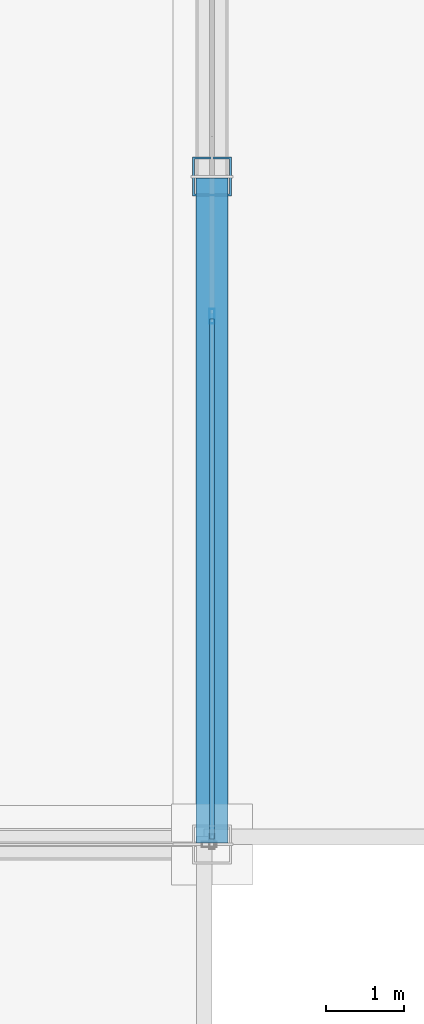
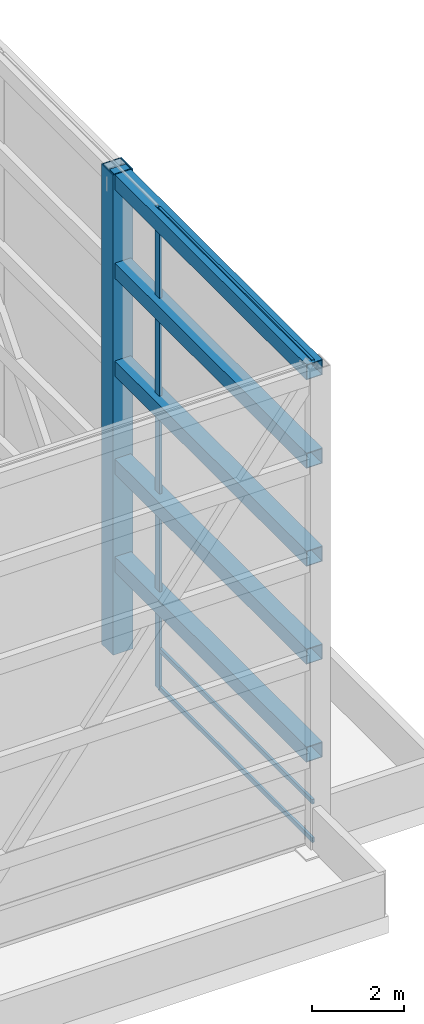
# One storey, part 14 of 23: 5 beams, 5 members, 1 element without a shape of its own.
"""IFC4 building model written with IfcOpenShell, lengths in metres."""

from ifc_helpers import new_model, si_unit, direction, frame, origin, origin_2d, place, context, subcontext, project, spatial, hollow_rectangle, extrude, source, transform, mapped, material, layer, layer_set, material_profile, profile_set, type_object, type_shapes, element, aggregate, save


model = new_model("IFC4")

# Units and contexts
model_context = context("Model", 3, precision=1e-05, world=origin(), true_north=direction((0.0, 1.0)))
body_context = subcontext(model_context, "Body", "Model", "MODEL_VIEW")
ifc_project = project(units=[si_unit("LENGTHUNIT", "METRE"), si_unit("AREAUNIT", "SQUARE_METRE"), si_unit("VOLUMEUNIT", "CUBIC_METRE"), si_unit("PLANEANGLEUNIT", "RADIAN"), si_unit("MASSUNIT", "GRAM", prefix="KILO")], contexts=[model_context])

# Site, building, storey
site_placement = place(None, origin())
site = spatial("IfcSite", under=ifc_project, at=site_placement, CompositionType="ELEMENT")
building_placement = place(site_placement, origin())
building = spatial("IfcBuilding", under=site, at=building_placement, Name="Varnel Quay Broadcast Tower", CompositionType="ELEMENT")
storey_placement = place(building_placement, frame((0.0, 0.0, 319.800048828125)))
storey = spatial("IfcBuildingStorey", under=building, at=storey_placement, Name="Roof", CompositionType="ELEMENT", Elevation=319.800048828125)

# Member
ifc_material_1 = material(Name="Structural Steel CSA G40.21 350WT", Category="steel")
ifc_material_profile_1 = material_profile(ifc_material_1, hollow_rectangle(XDim=0.5, YDim=0.5, WallThickness=0.02490234375, at=origin_2d()), Name="BOX500X500X25")
ifc_profile_set_1 = profile_set([ifc_material_profile_1], Name="Structural Steel CSA G40.21 350WT")
member_type_1 = type_object("IfcMemberType", Name="CrownRingPost_BOX500", PredefinedType="POST", material=ifc_profile_set_1)
shared_shape_1 = source(origin(), body_context, "Body", "SweptSolid", [
    extrude(hollow_rectangle(XDim=0.5, YDim=0.5, WallThickness=0.02490234375, at=origin_2d()), origin(), (0.0, 0.0, 1.0), 12.75),
])
type_shapes(member_type_1, [shared_shape_1])
member_1_placement = place(storey_placement, frame((52.800048828125, 25.0, 0.0), z_axis=(0.0, 0.0, 1.0), x_axis=(1.0, 0.0, 0.0)))
element("IfcMember", 1, at=member_1_placement, inside=storey, type_object=member_type_1, Name="CROWN FRAME Ring Post 6", PredefinedType="POST", context=body_context, shape_type="MappedRepresentation", body=[
    mapped(shared_shape_1, transform((0.0, 0.0, 0.0), x_axis=(1.0, 0.0, 0.0), y_axis=(0.0, 1.0, 0.0), z_axis=(0.0, 0.0, 1.0), scale=1.0)),
])

# Beams
ifc_material_profile_2 = material_profile(ifc_material_1, hollow_rectangle(XDim=0.406005859375, YDim=0.406005859375, WallThickness=0.01611328125, at=origin_2d()), Name="HSS406X406X16")
ifc_profile_set_2 = profile_set([ifc_material_profile_2], Name="Structural Steel CSA G40.21 350WT")
beam_type = type_object("IfcBeamType", Name="CrownRingBeam_HSS406", PredefinedType="BEAM", material=ifc_profile_set_2)
shared_shape_2 = source(origin(), body_context, "Body", "SweptSolid", [
    extrude(hollow_rectangle(XDim=0.406005859375, YDim=0.406005859375, WallThickness=0.01611328125, at=origin_2d()), origin(), (0.0, 0.0, 1.0), 8.56005859375),
])
type_shapes(beam_type, [shared_shape_2])
for number, where, z_axis, x_axis, name in (
    (2, (52.800048828125, 16.419921875, 2.39697265625), (0.0, 1.0, 0.0), (-1.0, 0.0, 0.0), "CROWN FRAME Ring Tier 1 Beam 5"),
    (3, (52.800048828125, 16.419921875, 4.9970703125), (0.0, 1.0, 0.0), (-1.0, 0.0, 0.0), "CROWN FRAME Ring Tier 2 Beam 5"),
    (4, (52.800048828125, 16.419921875, 7.596923828125), (0.0, 1.0, 0.0), (-1.0, 0.0, 0.0), "CROWN FRAME Ring Tier 3 Beam 5"),
    (5, (52.800048828125, 16.419921875, 10.197021484375), (0.0, 1.0, 0.0), (-1.0, 0.0, 0.0), "CROWN FRAME Ring Tier 4 Beam 5"),
    (6, (52.800048828125, 16.419921875, 12.546875), (0.0, 1.0, 0.0), (-1.0, 0.0, 0.0), "CROWN FRAME Ring Tier 5 Beam 5"),
):
    element("IfcBeam", number, at=place(storey_placement, frame(where, z_axis=z_axis, x_axis=x_axis)), inside=storey, type_object=beam_type, Name=name, PredefinedType="BEAM", context=body_context, shape_type="MappedRepresentation", body=[
        mapped(shared_shape_2, transform((0.0, 0.0, 0.0), x_axis=(1.0, 0.0, 0.0), y_axis=(0.0, 1.0, 0.0), z_axis=(0.0, 0.0, 1.0), scale=1.0)),
    ])

# Curtain wall, members
ifc_material_2 = material(Name="Anodised Bronze Aluminium 6063-T6", Category="aluminium")
ifc_layer = layer(ifc_material_2, 0.18994140625, Name="Anodised Bronze Aluminium 6063-T6")
ifc_layer_set = layer_set([ifc_layer], Name="Anodised Bronze Aluminium 6063-T6")
curtain_wall_type = type_object("IfcCurtainWallType", Name="CW_CrownScreen", PredefinedType="NOTDEFINED", material=ifc_layer_set)
curtain_wall_placement = place(storey_placement, origin())
curtain_wall = element("IfcCurtainWall", 7, at=curtain_wall_placement, inside=storey, type_object=curtain_wall_type, Name="Ring Crown Bronze Glazed Louvre Screen E1", PredefinedType="NOTDEFINED")
ifc_material_profile_3 = material_profile(ifc_material_2, hollow_rectangle(XDim=0.070068359375, YDim=0.18994140625, WallThickness=0.00390625, at=origin_2d()), Name="ALU70X190X4")
ifc_profile_set_3 = profile_set([ifc_material_profile_3], Name="Anodised Bronze Aluminium 6063-T6")
member_type_2 = type_object("IfcMemberType", Name="Mull_CWS-06", PredefinedType="MULLION", material=ifc_profile_set_3)
shared_shape_3 = source(origin(), body_context, "Body", "SweptSolid", [
    extrude(hollow_rectangle(XDim=0.070068359375, YDim=0.18994140625, WallThickness=0.00390625, at=origin_2d()), origin(), (0.0, 0.0, 1.0), 12.75),
])
type_shapes(member_type_2, [shared_shape_3])
member_2_placement = place(storey_placement, frame((52.800048828125, 23.199951171875, 0.0), z_axis=(0.0, 0.0, 1.0), x_axis=(-1.0, 0.0, 0.0)))
member_2 = element("IfcMember", 8, at=member_2_placement, type_object=member_type_2, Name="CWS-06 mullion 2", PredefinedType="MULLION", context=body_context, shape_type="MappedRepresentation", body=[
    mapped(shared_shape_3, transform((0.0, 0.0, 0.0), x_axis=(1.0, 0.0, 0.0), y_axis=(0.0, 1.0, 0.0), z_axis=(0.0, 0.0, 1.0), scale=1.0)),
])
ifc_material_profile_4 = material_profile(ifc_material_2, hollow_rectangle(XDim=0.06005859375, YDim=0.125, WallThickness=0.0029296875, at=origin_2d()), Name="ALU60X125X3")
ifc_profile_set_4 = profile_set([ifc_material_profile_4], Name="Anodised Bronze Aluminium 6063-T6")
member_type_3 = type_object("IfcMemberType", Name="Tran_CWS-06", PredefinedType="USERDEFINED", material=ifc_profile_set_4)
shared_shape_4 = source(origin(), body_context, "Body", "SweptSolid", [
    extrude(hollow_rectangle(XDim=0.06005859375, YDim=0.125, WallThickness=0.0029296875, at=origin_2d()), origin(), (0.0, 0.0, 1.0), 6.695068359375),
])
type_shapes(member_type_3, [shared_shape_4])
member_3_placement = place(storey_placement, frame((52.800048828125, 16.469970703125, 0.030029296875), z_axis=(0.0, 1.0, 0.0), x_axis=(-1.0, 0.0, 0.0)))
member_3 = element("IfcMember", 9, at=member_3_placement, type_object=member_type_3, Name="CWS-06 transom 1.1", ObjectType="TRANSOM", PredefinedType="USERDEFINED", context=body_context, shape_type="MappedRepresentation", body=[
    mapped(shared_shape_4, transform((0.0, 0.0, 0.0), x_axis=(1.0, 0.0, 0.0), y_axis=(0.0, 1.0, 0.0), z_axis=(0.0, 0.0, 1.0), scale=1.0)),
])
member_4_placement = place(storey_placement, frame((52.800048828125, 16.469970703125, 1.050048828125), z_axis=(0.0, 1.0, 0.0), x_axis=(-1.0, 0.0, 0.0)))
member_4 = element("IfcMember", 10, at=member_4_placement, type_object=member_type_3, Name="CWS-06 transom 1.2", ObjectType="TRANSOM", PredefinedType="USERDEFINED", context=body_context, shape_type="MappedRepresentation", body=[
    mapped(shared_shape_4, transform((0.0, 0.0, 0.0), x_axis=(1.0, 0.0, 0.0), y_axis=(0.0, 1.0, 0.0), z_axis=(0.0, 0.0, 1.0), scale=1.0)),
])
member_5_placement = place(storey_placement, frame((52.800048828125, 16.469970703125, 12.719970703125), z_axis=(0.0, 1.0, 0.0), x_axis=(-1.0, 0.0, 0.0)))
member_5 = element("IfcMember", 11, at=member_5_placement, type_object=member_type_3, Name="CWS-06 transom 1.3", ObjectType="TRANSOM", PredefinedType="USERDEFINED", context=body_context, shape_type="MappedRepresentation", body=[
    mapped(shared_shape_4, transform((0.0, 0.0, 0.0), x_axis=(1.0, 0.0, 0.0), y_axis=(0.0, 1.0, 0.0), z_axis=(0.0, 0.0, 1.0), scale=1.0)),
])
aggregate(curtain_wall, [member_2, member_3, member_4, member_5])

save(model, "model.ifc")
